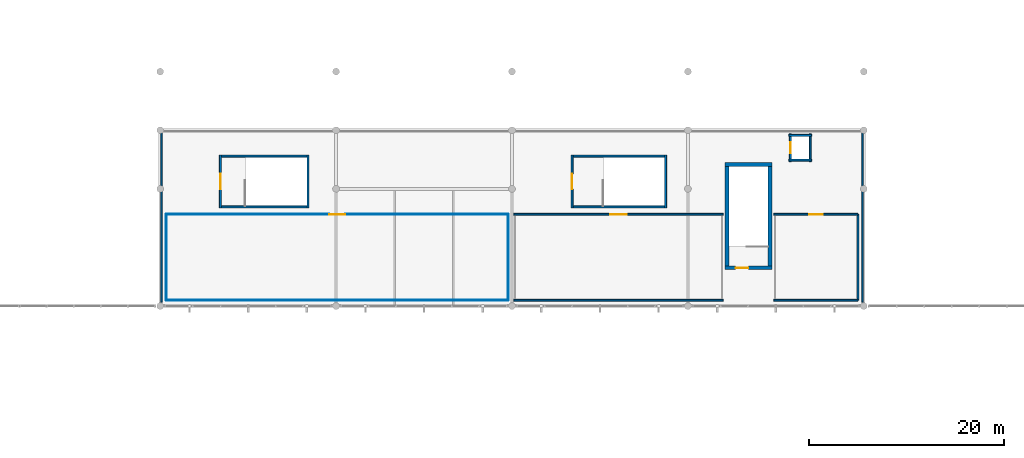
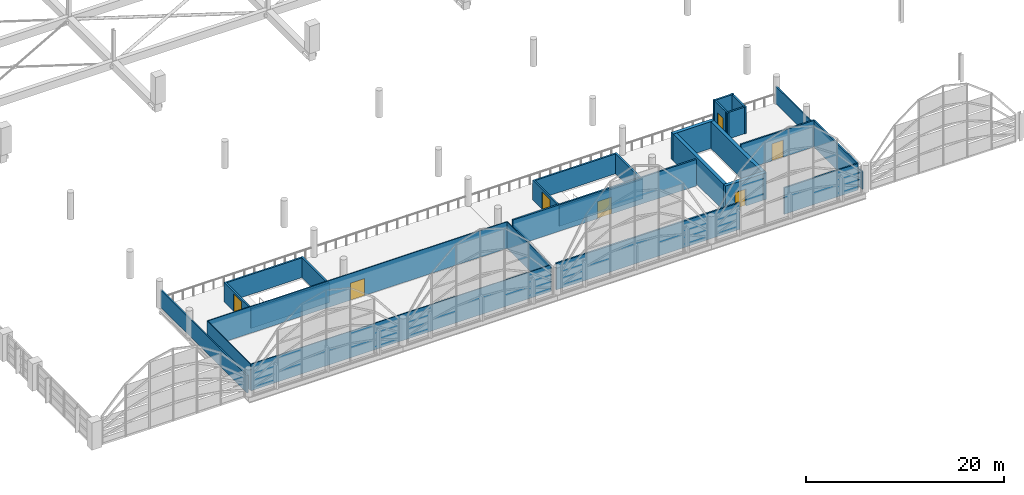
# One storey, part 98 of 116: 27 walls, 7 doors, 7 openings.
"""IFC4 building model written with IfcOpenShell, lengths in metres."""

from ifc_helpers import new_model, si_unit, direction, frame, frame_2d, origin, place, context, subcontext, project, spatial, rectangle, extrude, material, layer, layer_set, type_object, element, fill, save


model = new_model("IFC4")

# Units and contexts
model_context = context("Model", 3, precision=1e-05, world=origin(), true_north=direction((0.0, 1.0)))
body_context = subcontext(model_context, "Body", "Model", "MODEL_VIEW")
ifc_project = project(units=[si_unit("LENGTHUNIT", "METRE"), si_unit("AREAUNIT", "SQUARE_METRE"), si_unit("VOLUMEUNIT", "CUBIC_METRE"), si_unit("PLANEANGLEUNIT", "RADIAN"), si_unit("MASSUNIT", "GRAM", prefix="KILO")], contexts=[model_context])

# Site, building, storey
site_placement = place(None, origin())
site = spatial("IfcSite", under=ifc_project, at=site_placement, CompositionType="ELEMENT")
building_placement = place(site_placement, origin())
building = spatial("IfcBuilding", under=site, at=building_placement, Name="Chuanluo Vaults Station", CompositionType="ELEMENT")
storey_placement = place(building_placement, frame((0.0, 0.0, 10.800048828125)))
storey = spatial("IfcBuildingStorey", under=building, at=storey_placement, Name="L02", CompositionType="ELEMENT", Elevation=10.800048828125)

# Walls
ifc_material_1 = material(Name="Concrete C50", Category="concrete")
ifc_layer_1 = layer(ifc_material_1, 0.39990234375)
ifc_layer_set_1 = layer_set([ifc_layer_1], Name="Concrete C50")
wall_type_1 = type_object("IfcWallType", Name="WL-COR-400", PredefinedType="SHEAR", material=ifc_layer_set_1)
for number, where, z_axis, x_axis, name in (
    (1, (80.387451171875, 21.72509765625, 0.0), (0.0, 0.0, 1.0), (0.0, 1.0, 0.0), "Core K6 left shear wall"),
    (2, (75.987548828125, 32.699951171875, 0.0), (0.0, 0.0, 1.0), (0.0, -1.0, 0.0), "Core K6 right shear wall"),
):
    element("IfcWall", number, at=place(storey_placement, frame(where, z_axis=z_axis, x_axis=x_axis)), inside=storey, type_object=wall_type_1, Name=name, PredefinedType="SHEAR", context=body_context, shape_type="SweptSolid", body=[
        extrude(rectangle(XDim=10.974853515625, YDim=0.39990234375, at=frame_2d((5.4873046875, 0.0))), origin(), (0.0, 0.0, 1.0), 3.300048828125),
    ])
wall_1_placement = place(storey_placement, frame((80.58740234375, 32.5, 0.0), z_axis=(0.0, 0.0, 1.0), x_axis=(-1.0, 0.0, 0.0)))
element("IfcWall", 3, at=wall_1_placement, inside=storey, type_object=wall_type_1, Name="Core K6 far shear wall", PredefinedType="SHEAR", context=body_context, shape_type="SweptSolid", body=[
    extrude(rectangle(XDim=4.7998046875, YDim=0.39990234375, at=frame_2d((2.39990234375, 0.0))), origin(), (0.0, 0.0, 1.0), 3.300048828125),
])

# Wall, opening, door
wall_2_placement = place(storey_placement, frame((75.78759765625, 21.925048828125, 0.0), z_axis=(0.0, 0.0, 1.0), x_axis=(1.0, 0.0, 0.0)))
wall_2 = element("IfcWall", 4, at=wall_2_placement, inside=storey, type_object=wall_type_1, Name="Core K6 near shear wall", PredefinedType="SHEAR", context=body_context, shape_type="SweptSolid", body=[
    extrude(rectangle(XDim=4.7998046875, YDim=0.39990234375, at=frame_2d((2.39990234375, 0.0))), origin(), (0.0, 0.0, 1.0), 3.300048828125),
])
opening_1_placement = place(wall_2_placement, frame((1.10009765625, 0.0, 0.0)))
opening_1 = element("IfcOpeningElement", 5, at=opening_1_placement, cuts=wall_2, Name="Opening FD-05", PredefinedType="OPENING", context=body_context, shape_type="SweptSolid", body=[
    extrude(rectangle(XDim=1.300048828125, YDim=2.10009765625, at=frame_2d((0.64990234375, 1.050048828125))), frame((0.0, 0.20995, 0.0), z_axis=(0.0, -1.0, 0.0), x_axis=(1.0, 0.0, 0.0)), (0.0, 0.0, 1.0), 0.4199),
])
ifc_material_2 = material(Name="Fire-rated steel leaf", Category="steel")
door_type_1 = type_object("IfcDoorType", Name="DR-FIR-1300x2100", OperationType="NOTDEFINED", PredefinedType="DOOR", material=ifc_material_2)
door_1_placement = place(opening_1_placement, origin())
door_1 = element("IfcDoor", 6, at=door_1_placement, inside=storey, type_object=door_type_1, Name="D-092 Stair ST-06 fire door", OperationType="SINGLE_SWING_LEFT", OverallHeight=2.10009765625, OverallWidth=1.300048828125, PredefinedType="DOOR", context=body_context, shape_type="SweptSolid", body=[
    extrude(rectangle(XDim=1.300048828125, YDim=2.10009765625, at=frame_2d((0.64990234375, 1.050048828125))), frame((0.0, 0.02490234375, 0.0), z_axis=(0.0, -1.0, 0.0), x_axis=(1.0, 0.0, 0.0)), (0.0, 0.0, 1.0), 0.050048828125),
])
fill(opening_1, door_1)

# Wall
ifc_material_3 = material(Name="Masonry blockwork M10", Category="masonry")
ifc_layer_2 = layer(ifc_material_3, 0.10009765625)
ifc_layer_set_2 = layer_set([ifc_layer_2], Name="Masonry blockwork M10")
wall_type_2 = type_object("IfcWallType", Name="WL-PRT-100", PredefinedType="PARTITIONING", material=ifc_layer_set_2)
wall_3_placement = place(storey_placement, frame((53.60009765625, 18.60009765625, 0.0), z_axis=(0.0, 0.0, 1.0), x_axis=(-1.0, 0.0, 0.0)))
element("IfcWall", 7, at=wall_3_placement, inside=storey, type_object=wall_type_2, Name="L02-01 West Vault Observation Gallery S partition", PredefinedType="PARTITIONING", context=body_context, shape_type="SweptSolid", body=[
    extrude(rectangle(XDim=35.0, YDim=0.10009765625, at=frame_2d((17.5, 0.0))), origin(), (0.0, 0.0, 1.0), 3.27490234375),
])

# Wall, opening, door
wall_4_placement = place(storey_placement, frame((18.60009765625, 27.39990234375, 0.0), z_axis=(0.0, 0.0, 1.0), x_axis=(1.0, 0.0, 0.0)))
wall_4 = element("IfcWall", 8, at=wall_4_placement, inside=storey, type_object=wall_type_2, Name="L02-01 West Vault Observation Gallery N partition", PredefinedType="PARTITIONING", context=body_context, shape_type="SweptSolid", body=[
    extrude(rectangle(XDim=35.0, YDim=0.10009765625, at=frame_2d((17.5, 0.0))), origin(), (0.0, 0.0, 1.0), 3.27490234375),
])
opening_2_placement = place(wall_4_placement, frame((16.675048828125, 0.0, 0.0)))
opening_2 = element("IfcOpeningElement", 9, at=opening_2_placement, cuts=wall_4, Name="Opening D-I02", PredefinedType="OPENING", context=body_context, shape_type="SweptSolid", body=[
    extrude(rectangle(XDim=1.64990234375, YDim=2.10009765625, at=frame_2d((0.824951171875, 1.050048828125))), frame((0.0, 0.06005, 0.0), z_axis=(0.0, -1.0, 0.0), x_axis=(1.0, 0.0, 0.0)), (0.0, 0.0, 1.0), 0.1201),
])
ifc_material_4 = material(Name="Anodised aluminium 6063-T6", Category="aluminium")
door_type_2 = type_object("IfcDoorType", Name="DR-INT-1650x2100", OperationType="NOTDEFINED", PredefinedType="DOOR", material=ifc_material_4)
door_2_placement = place(opening_2_placement, origin())
door_2 = element("IfcDoor", 10, at=door_2_placement, inside=storey, type_object=door_type_2, Name="D-197 West Vault Observation Gallery door", OperationType="SINGLE_SWING_RIGHT", OverallHeight=2.10009765625, OverallWidth=1.64990234375, PredefinedType="DOOR", context=body_context, shape_type="SweptSolid", body=[
    extrude(rectangle(XDim=1.64990234375, YDim=2.10009765625, at=frame_2d((0.824951171875, 1.050048828125))), frame((0.0, 0.02490234375, 0.0), z_axis=(0.0, -1.0, 0.0), x_axis=(1.0, 0.0, 0.0)), (0.0, 0.0, 1.0), 0.050048828125),
])
fill(opening_2, door_2)

# Walls
for number, where, z_axis, x_axis, name in (
    (11, (18.60009765625, 18.60009765625, 0.0), (0.0, 0.0, 1.0), (0.0, 1.0, 0.0), "L02-01 West Vault Observation Gallery W partition"),
    (12, (53.60009765625, 27.39990234375, 0.0), (0.0, 0.0, 1.0), (0.0, -1.0, 0.0), "L02-01 West Vault Observation Gallery E partition"),
):
    element("IfcWall", number, at=place(storey_placement, frame(where, z_axis=z_axis, x_axis=x_axis)), inside=storey, type_object=wall_type_2, Name=name, PredefinedType="PARTITIONING", context=body_context, shape_type="SweptSolid", body=[
        extrude(rectangle(XDim=8.7998046875, YDim=0.10009765625, at=frame_2d((4.39990234375, 0.0))), origin(), (0.0, 0.0, 1.0), 3.27490234375),
    ])
ifc_material_5 = material(Name="Autoclaved aerated concrete blockwork MU10", Category="masonry")
ifc_layer_3 = layer(ifc_material_5, 0.159912109375)
ifc_layer_set_3 = layer_set([ifc_layer_3], Name="Autoclaved aerated concrete blockwork MU10")
wall_type_3 = type_object("IfcWallType", Name="WL-PRT-160", PredefinedType="PARTITIONING", material=ifc_layer_set_3)
for number, where, z_axis, x_axis, name in (
    (13, (18.1201171875, 18.39990234375, 0.0), (0.0, 0.0, 1.0), (0.0, 1.0, 0.0), "Mezzanine west end screen wall"),
    (14, (89.8798828125, 18.39990234375, 0.0), (0.0, 0.0, 1.0), (0.0, 1.0, 0.0), "Mezzanine east end screen wall"),
):
    element("IfcWall", number, at=place(storey_placement, frame(where, z_axis=z_axis, x_axis=x_axis)), inside=storey, type_object=wall_type_3, Name=name, PredefinedType="PARTITIONING", context=body_context, shape_type="SweptSolid", body=[
        extrude(rectangle(XDim=17.47998046875, YDim=0.159912109375, at=frame_2d((8.739990234375, 0.0))), origin(), (0.0, 0.0, 1.0), 2.14990234375),
    ])
ifc_material_6 = material(Name="Autoclaved aerated concrete blockwork MU10", Category="masonry")
ifc_layer_4 = layer(ifc_material_6, 0.175048828125)
ifc_layer_set_4 = layer_set([ifc_layer_4], Name="Autoclaved aerated concrete blockwork MU10")
wall_type_4 = type_object("IfcWallType", Name="WL-PRT-175", PredefinedType="PARTITIONING", material=ifc_layer_set_4)
wall_5_placement = place(storey_placement, frame((89.39990234375, 18.60009765625, 0.0), z_axis=(0.0, 0.0, 1.0), x_axis=(-1.0, 0.0, 0.0)))
element("IfcWall", 15, at=wall_5_placement, inside=storey, type_object=wall_type_4, Name="L02-02B South-East Mezzanine Reading Lounge S partition", PredefinedType="PARTITIONING", context=body_context, shape_type="SweptSolid", body=[
    extrude(rectangle(XDim=8.599853515625, YDim=0.175048828125, at=frame_2d((4.2998046875, 0.0))), origin(), (0.0, 0.0, 1.0), 3.27490234375),
])

# Wall, opening, door
wall_6_placement = place(storey_placement, frame((80.800048828125, 27.39990234375, 0.0), z_axis=(0.0, 0.0, 1.0), x_axis=(1.0, 0.0, 0.0)))
wall_6 = element("IfcWall", 16, at=wall_6_placement, inside=storey, type_object=wall_type_4, Name="L02-02B South-East Mezzanine Reading Lounge N partition", PredefinedType="PARTITIONING", context=body_context, shape_type="SweptSolid", body=[
    extrude(rectangle(XDim=8.599853515625, YDim=0.175048828125, at=frame_2d((4.2998046875, 0.0))), origin(), (0.0, 0.0, 1.0), 3.27490234375),
])
opening_3_placement = place(wall_6_placement, frame((3.625, 0.0, 0.0)))
opening_3 = element("IfcOpeningElement", 17, at=opening_3_placement, cuts=wall_6, Name="Opening D-I04", PredefinedType="OPENING", context=body_context, shape_type="SweptSolid", body=[
    extrude(rectangle(XDim=1.35009765625, YDim=2.10009765625, at=frame_2d((0.675048828125, 1.050048828125))), frame((0.0, 0.0974, 0.0), z_axis=(0.0, -1.0, 0.0), x_axis=(1.0, 0.0, 0.0)), (0.0, 0.0, 1.0), 0.19505),
])
ifc_material_7 = material(Name="Anodised aluminium 6063-T6", Category="aluminium")
door_type_3 = type_object("IfcDoorType", Name="DR-INT-1350x2100", OperationType="NOTDEFINED", PredefinedType="DOOR", material=ifc_material_7)
door_3_placement = place(opening_3_placement, origin())
door_3 = element("IfcDoor", 18, at=door_3_placement, inside=storey, type_object=door_type_3, Name="D-199 South-East Mezzanine Reading Lounge door", OperationType="SINGLE_SWING_RIGHT", OverallHeight=2.10009765625, OverallWidth=1.35009765625, PredefinedType="DOOR", context=body_context, shape_type="SweptSolid", body=[
    extrude(rectangle(XDim=1.35009765625, YDim=2.10009765625, at=frame_2d((0.675048828125, 1.050048828125))), frame((0.0, 0.02490234375, 0.0), z_axis=(0.0, -1.0, 0.0), x_axis=(1.0, 0.0, 0.0)), (0.0, 0.0, 1.0), 0.050048828125),
])
fill(opening_3, door_3)

# Walls
wall_7_placement = place(storey_placement, frame((89.39990234375, 27.39990234375, 0.0), z_axis=(0.0, 0.0, 1.0), x_axis=(0.0, -1.0, 0.0)))
element("IfcWall", 19, at=wall_7_placement, inside=storey, type_object=wall_type_4, Name="L02-02B South-East Mezzanine Reading Lounge E partition", PredefinedType="PARTITIONING", context=body_context, shape_type="SweptSolid", body=[
    extrude(rectangle(XDim=8.7998046875, YDim=0.175048828125, at=frame_2d((4.39990234375, 0.0))), origin(), (0.0, 0.0, 1.0), 3.27490234375),
])
ifc_material_8 = material(Name="Autoclaved aerated concrete blockwork MU10", Category="masonry")
ifc_layer_5 = layer(ifc_material_8, 0.18994140625)
ifc_layer_set_5 = layer_set([ifc_layer_5], Name="Autoclaved aerated concrete blockwork MU10")
wall_type_5 = type_object("IfcWallType", Name="WL-PRT-190", PredefinedType="PARTITIONING", material=ifc_layer_set_5)
wall_8_placement = place(storey_placement, frame((75.60009765625, 18.60009765625, 0.0), z_axis=(0.0, 0.0, 1.0), x_axis=(-1.0, 0.0, 0.0)))
element("IfcWall", 20, at=wall_8_placement, inside=storey, type_object=wall_type_5, Name="L02-02 East VIP Executive Lounge S partition", PredefinedType="PARTITIONING", context=body_context, shape_type="SweptSolid", body=[
    extrude(rectangle(XDim=21.400146484375, YDim=0.18994140625, at=frame_2d((10.7001953125, 0.0))), origin(), (0.0, 0.0, 1.0), 3.27490234375),
])

# Wall, opening, door
wall_9_placement = place(storey_placement, frame((54.199951171875, 27.39990234375, 0.0), z_axis=(0.0, 0.0, 1.0), x_axis=(1.0, 0.0, 0.0)))
wall_9 = element("IfcWall", 21, at=wall_9_placement, inside=storey, type_object=wall_type_5, Name="L02-02 East VIP Executive Lounge N partition", PredefinedType="PARTITIONING", context=body_context, shape_type="SweptSolid", body=[
    extrude(rectangle(XDim=21.400146484375, YDim=0.18994140625, at=frame_2d((10.7001953125, 0.0))), origin(), (0.0, 0.0, 1.0), 3.27490234375),
])
opening_4_placement = place(wall_9_placement, frame((9.875, 0.0, 0.0)))
opening_4 = element("IfcOpeningElement", 22, at=opening_4_placement, cuts=wall_9, Name="Opening D-I02", PredefinedType="OPENING", context=body_context, shape_type="SweptSolid", body=[
    extrude(rectangle(XDim=1.64990234375, YDim=2.10009765625, at=frame_2d((0.824951171875, 1.050048828125))), frame((0.0, 0.10497, 0.0), z_axis=(0.0, -1.0, 0.0), x_axis=(1.0, 0.0, 0.0)), (0.0, 0.0, 1.0), 0.20994),
])
door_4_placement = place(opening_4_placement, origin())
door_4 = element("IfcDoor", 23, at=door_4_placement, inside=storey, type_object=door_type_2, Name="D-198 East VIP Executive Lounge door", OperationType="SINGLE_SWING_LEFT", OverallHeight=2.10009765625, OverallWidth=1.64990234375, PredefinedType="DOOR", context=body_context, shape_type="SweptSolid", body=[
    extrude(rectangle(XDim=1.64990234375, YDim=2.10009765625, at=frame_2d((0.824951171875, 1.050048828125))), frame((0.0, 0.02490234375, 0.0), z_axis=(0.0, -1.0, 0.0), x_axis=(1.0, 0.0, 0.0)), (0.0, 0.0, 1.0), 0.050048828125),
])
fill(opening_4, door_4)

# Walls
ifc_material_9 = material(Name="Concrete C40", Category="concrete")
ifc_layer_6 = layer(ifc_material_9, 0.199951171875)
ifc_layer_set_6 = layer_set([ifc_layer_6], Name="Concrete C40")
wall_type_6 = type_object("IfcWallType", Name="WL-SHF-200", PredefinedType="SOLIDWALL", material=ifc_layer_set_6)
for number, where, z_axis, x_axis, name in (
    (24, (24.050048828125, 28.14990234375, 0.0), (0.0, 0.0, 1.0), (1.0, 0.0, 0.0), "Stair ST-22 south shaft wall L02"),
    (25, (33.22509765625, 33.35009765625, 0.0), (0.0, 0.0, 1.0), (-1.0, 0.0, 0.0), "Stair ST-22 north shaft wall L02"),
):
    element("IfcWall", number, at=place(storey_placement, frame(where, z_axis=z_axis, x_axis=x_axis)), inside=storey, type_object=wall_type_6, Name=name, PredefinedType="SOLIDWALL", context=body_context, shape_type="SweptSolid", body=[
        extrude(rectangle(XDim=9.175048828125, YDim=0.199951171875, at=frame_2d((4.58740234375, 0.0))), origin(), (0.0, 0.0, 1.0), 2.449951171875),
    ])
wall_10_placement = place(storey_placement, frame((33.125, 28.050048828125, 0.0), z_axis=(0.0, 0.0, 1.0), x_axis=(0.0, 1.0, 0.0)))
element("IfcWall", 26, at=wall_10_placement, inside=storey, type_object=wall_type_6, Name="Stair ST-22 far shaft wall L02", PredefinedType="SOLIDWALL", context=body_context, shape_type="SweptSolid", body=[
    extrude(rectangle(XDim=5.39990234375, YDim=0.199951171875, at=frame_2d((2.699951171875, 0.0))), origin(), (0.0, 0.0, 1.0), 2.449951171875),
])

# Wall, opening, door
wall_11_placement = place(storey_placement, frame((24.14990234375, 33.449951171875, 0.0), z_axis=(0.0, 0.0, 1.0), x_axis=(0.0, -1.0, 0.0)))
wall_11 = element("IfcWall", 27, at=wall_11_placement, inside=storey, type_object=wall_type_6, Name="Stair ST-22 vestibule wall L02", PredefinedType="SOLIDWALL", context=body_context, shape_type="SweptSolid", body=[
    extrude(rectangle(XDim=5.39990234375, YDim=0.199951171875, at=frame_2d((2.699951171875, 0.0))), origin(), (0.0, 0.0, 1.0), 2.449951171875),
])
opening_5_placement = place(wall_11_placement, frame((1.89990234375, 0.0, 0.0)))
opening_5 = element("IfcOpeningElement", 28, at=opening_5_placement, cuts=wall_11, Name="Opening FD-02", PredefinedType="OPENING", context=body_context, shape_type="SweptSolid", body=[
    extrude(rectangle(XDim=1.60009765625, YDim=2.14990234375, at=frame_2d((0.800048828125, 1.074951171875))), frame((0.0, 0.1101, 0.0), z_axis=(0.0, -1.0, 0.0), x_axis=(1.0, 0.0, 0.0)), (0.0, 0.0, 1.0), 0.21995),
])
ifc_material_10 = material(Name="Fire-rated steel leaf", Category="steel")
door_type_4 = type_object("IfcDoorType", Name="DR-FIR-1600x2150", OperationType="NOTDEFINED", PredefinedType="DOOR", material=ifc_material_10)
door_5_placement = place(opening_5_placement, origin())
door_5 = element("IfcDoor", 29, at=door_5_placement, inside=storey, type_object=door_type_4, Name="D-124 Stair ST-22 fire door L02", OperationType="SINGLE_SWING_LEFT", OverallHeight=2.14990234375, OverallWidth=1.60009765625, PredefinedType="DOOR", context=body_context, shape_type="SweptSolid", body=[
    extrude(rectangle(XDim=1.60009765625, YDim=2.14990234375, at=frame_2d((0.800048828125, 1.074951171875))), frame((0.0, 0.02490234375, 0.0), z_axis=(0.0, -1.0, 0.0), x_axis=(1.0, 0.0, 0.0)), (0.0, 0.0, 1.0), 0.050048828125),
])
fill(opening_5, door_5)

# Walls
for number, where, z_axis, x_axis, name in (
    (30, (60.050048828125, 28.14990234375, 0.0), (0.0, 0.0, 1.0), (1.0, 0.0, 0.0), "Stair ST-23 south shaft wall L02"),
    (31, (69.824951171875, 33.35009765625, 0.0), (0.0, 0.0, 1.0), (-1.0, 0.0, 0.0), "Stair ST-23 north shaft wall L02"),
):
    element("IfcWall", number, at=place(storey_placement, frame(where, z_axis=z_axis, x_axis=x_axis)), inside=storey, type_object=wall_type_6, Name=name, PredefinedType="SOLIDWALL", context=body_context, shape_type="SweptSolid", body=[
        extrude(rectangle(XDim=9.77490234375, YDim=0.199951171875, at=frame_2d((4.887451171875, 0.0))), origin(), (0.0, 0.0, 1.0), 2.449951171875),
    ])
wall_12_placement = place(storey_placement, frame((69.72509765625, 28.050048828125, 0.0), z_axis=(0.0, 0.0, 1.0), x_axis=(0.0, 1.0, 0.0)))
element("IfcWall", 32, at=wall_12_placement, inside=storey, type_object=wall_type_6, Name="Stair ST-23 far shaft wall L02", PredefinedType="SOLIDWALL", context=body_context, shape_type="SweptSolid", body=[
    extrude(rectangle(XDim=5.39990234375, YDim=0.199951171875, at=frame_2d((2.699951171875, 0.0))), origin(), (0.0, 0.0, 1.0), 2.449951171875),
])

# Wall, opening, door
wall_13_placement = place(storey_placement, frame((60.14990234375, 33.449951171875, 0.0), z_axis=(0.0, 0.0, 1.0), x_axis=(0.0, -1.0, 0.0)))
wall_13 = element("IfcWall", 33, at=wall_13_placement, inside=storey, type_object=wall_type_6, Name="Stair ST-23 vestibule wall L02", PredefinedType="SOLIDWALL", context=body_context, shape_type="SweptSolid", body=[
    extrude(rectangle(XDim=5.39990234375, YDim=0.199951171875, at=frame_2d((2.699951171875, 0.0))), origin(), (0.0, 0.0, 1.0), 2.449951171875),
])
opening_6_placement = place(wall_13_placement, frame((1.89990234375, 0.0, 0.0)))
opening_6 = element("IfcOpeningElement", 34, at=opening_6_placement, cuts=wall_13, Name="Opening FD-02", PredefinedType="OPENING", context=body_context, shape_type="SweptSolid", body=[
    extrude(rectangle(XDim=1.60009765625, YDim=2.14990234375, at=frame_2d((0.800048828125, 1.074951171875))), frame((0.0, 0.1101, 0.0), z_axis=(0.0, -1.0, 0.0), x_axis=(1.0, 0.0, 0.0)), (0.0, 0.0, 1.0), 0.21995),
])
door_6_placement = place(opening_6_placement, origin())
door_6 = element("IfcDoor", 35, at=door_6_placement, inside=storey, type_object=door_type_4, Name="D-126 Stair ST-23 fire door L02", OperationType="SINGLE_SWING_LEFT", OverallHeight=2.14990234375, OverallWidth=1.60009765625, PredefinedType="DOOR", context=body_context, shape_type="SweptSolid", body=[
    extrude(rectangle(XDim=1.60009765625, YDim=2.14990234375, at=frame_2d((0.800048828125, 1.074951171875))), frame((0.0, 0.02490234375, 0.0), z_axis=(0.0, -1.0, 0.0), x_axis=(1.0, 0.0, 0.0)), (0.0, 0.0, 1.0), 0.050048828125),
])
fill(opening_6, door_6)

# Walls
for number, where, z_axis, x_axis, name in (
    (36, (82.330078125, 32.929931640625, 0.0), (0.0, 0.0, 1.0), (1.0, 0.0, 0.0), "Lift EL-01 shaft wall L02 -Y"),
    (37, (84.669921875, 35.469970703125, 0.0), (0.0, 0.0, 1.0), (-1.0, 0.0, 0.0), "Lift EL-01 shaft wall L02 +Y"),
):
    element("IfcWall", number, at=place(storey_placement, frame(where, z_axis=z_axis, x_axis=x_axis)), inside=storey, type_object=wall_type_6, Name=name, PredefinedType="SOLIDWALL", context=body_context, shape_type="SweptSolid", body=[
        extrude(rectangle(XDim=2.33984375, YDim=0.199951171875, at=frame_2d((1.169921875, 0.0))), origin(), (0.0, 0.0, 1.0), 3.27490234375),
    ])

# Wall, opening, door
wall_14_placement = place(storey_placement, frame((82.47998046875, 35.6201171875, 0.0), z_axis=(0.0, 0.0, 1.0), x_axis=(0.0, -1.0, 0.0)))
wall_14 = element("IfcWall", 38, at=wall_14_placement, inside=storey, type_object=wall_type_6, Name="Lift EL-01 shaft wall L02 -X", PredefinedType="SOLIDWALL", context=body_context, shape_type="SweptSolid", body=[
    extrude(rectangle(XDim=2.840087890625, YDim=0.199951171875, at=frame_2d((1.419921875, 0.0))), origin(), (0.0, 0.0, 1.0), 3.27490234375),
])
opening_7_placement = place(wall_14_placement, frame((0.8701171875, 0.0, 0.0)))
opening_7 = element("IfcOpeningElement", 39, at=opening_7_placement, cuts=wall_14, Name="Opening LD-01", PredefinedType="OPENING", context=body_context, shape_type="SweptSolid", body=[
    extrude(rectangle(XDim=1.10009765625, YDim=2.14990234375, at=frame_2d((0.550048828125, 1.074951171875))), frame((0.0, 0.1101, 0.0), z_axis=(0.0, -1.0, 0.0), x_axis=(1.0, 0.0, 0.0)), (0.0, 0.0, 1.0), 0.21995),
])
ifc_material_11 = material(Name="Brushed stainless steel 304", Category="steel")
door_type_5 = type_object("IfcDoorType", Name="DR-LFT-1100x2150", OperationType="SLIDING_TO_LEFT", PredefinedType="DOOR", material=ifc_material_11)
door_7_placement = place(opening_7_placement, origin())
door_7 = element("IfcDoor", 40, at=door_7_placement, inside=storey, type_object=door_type_5, Name="LD-EL-01-04 Lift EL-01 sliding landing door L02", OperationType="SLIDING_TO_LEFT", OverallHeight=2.14990234375, OverallWidth=1.10009765625, PredefinedType="DOOR", context=body_context, shape_type="SweptSolid", body=[
    extrude(rectangle(XDim=1.10009765625, YDim=2.14990234375, at=frame_2d((0.550048828125, 1.074951171875))), frame((0.0, 0.02490234375, 0.0), z_axis=(0.0, -1.0, 0.0), x_axis=(1.0, 0.0, 0.0)), (0.0, 0.0, 1.0), 0.050048828125),
])
fill(opening_7, door_7)

# Wall
wall_15_placement = place(storey_placement, frame((84.52001953125, 32.780029296875, 0.0), z_axis=(0.0, 0.0, 1.0), x_axis=(0.0, 1.0, 0.0)))
element("IfcWall", 41, at=wall_15_placement, inside=storey, type_object=wall_type_6, Name="Lift EL-01 shaft wall L02 +X", PredefinedType="SOLIDWALL", context=body_context, shape_type="SweptSolid", body=[
    extrude(rectangle(XDim=2.840087890625, YDim=0.199951171875, at=frame_2d((1.419921875, 0.0))), origin(), (0.0, 0.0, 1.0), 3.27490234375),
])

save(model, "model.ifc")
